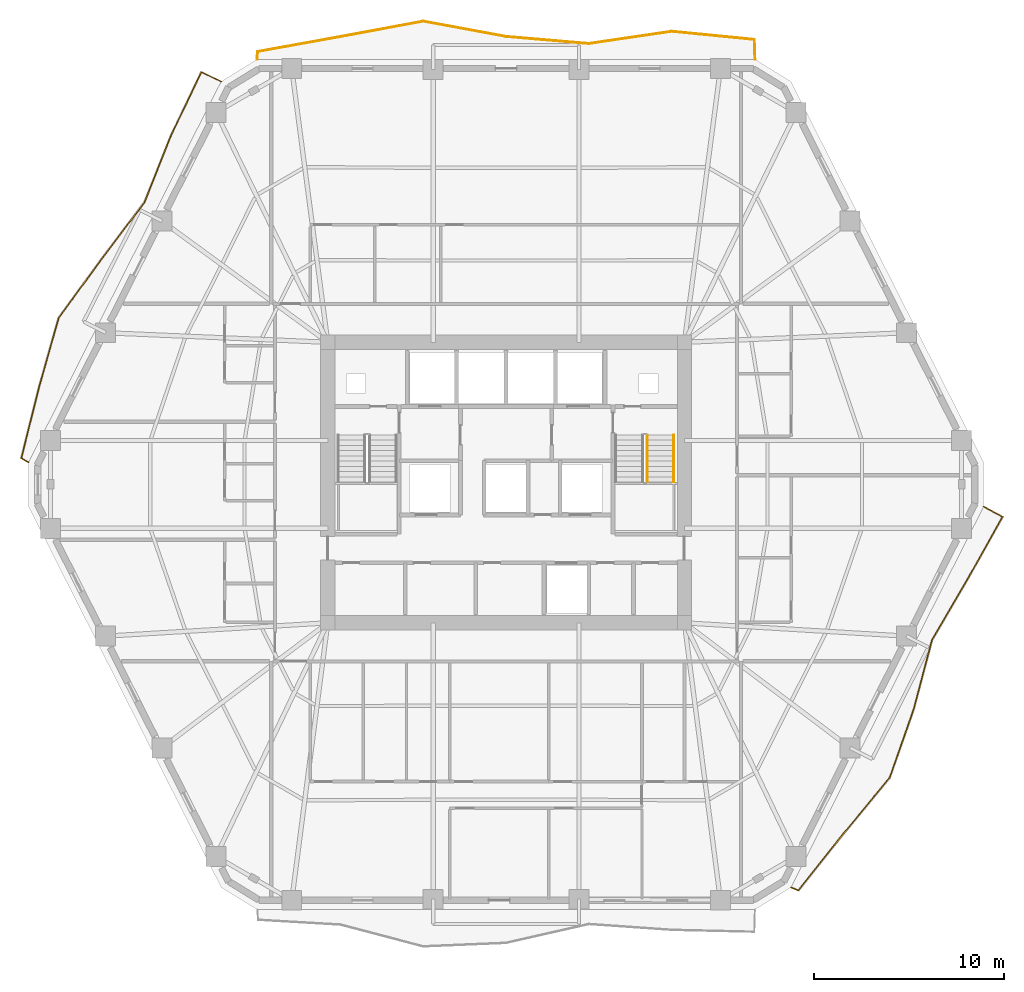
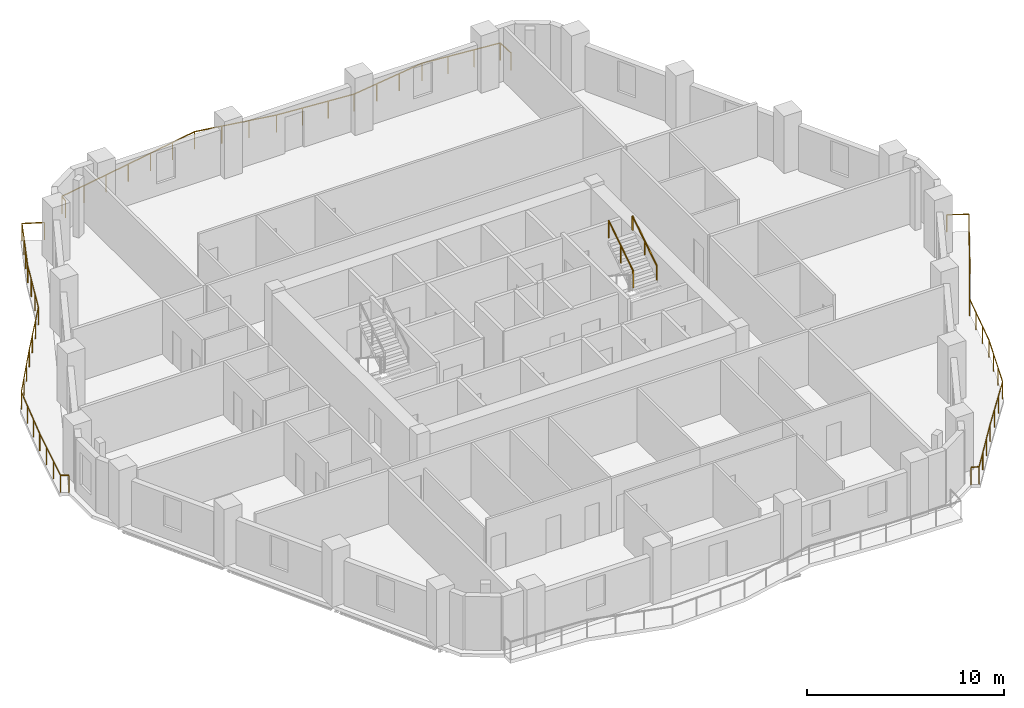
# One storey, part 10 of 10: 5 railings.
"""IFC4 building model written with IfcOpenShell, lengths in metres."""

from ifc_helpers import new_model, si_unit, direction, frame, origin, origin_2d, place, context, subcontext, project, spatial, rectangle, extrude, material, type_object, element, save


model = new_model("IFC4")

# Units and contexts
model_context = context("Model", 3, precision=1e-05, world=origin(), true_north=direction((0.0, 1.0)))
body_context = subcontext(model_context, "Body", "Model", "MODEL_VIEW")
ifc_project = project(units=[si_unit("LENGTHUNIT", "METRE"), si_unit("AREAUNIT", "SQUARE_METRE"), si_unit("VOLUMEUNIT", "CUBIC_METRE"), si_unit("PLANEANGLEUNIT", "RADIAN"), si_unit("MASSUNIT", "GRAM", prefix="KILO")], contexts=[model_context])

# Site, building, storey
site_placement = place(None, origin())
site = spatial("IfcSite", under=ifc_project, at=site_placement, CompositionType="ELEMENT")
building_placement = place(site_placement, origin())
building = spatial("IfcBuilding", under=site, at=building_placement, Name="Cinnabar Lancet Tower", CompositionType="ELEMENT")
storey_placement = place(building_placement, frame((0.0, 0.0, 119.699951171875)))
storey = spatial("IfcBuildingStorey", under=building, at=storey_placement, Name="L31", CompositionType="ELEMENT", Elevation=119.699951171875)

# Railings
ifc_material_1 = material(Name="Laminated safety glass and bronze stainless steel balustrade", Category="steel")
railing_type_1 = type_object("IfcRailingType", Name="ENV-RLG-BAL-1100", PredefinedType="BALUSTRADE", material=ifc_material_1)
railing_1_placement = place(storey_placement, frame((47.37890625, 4.610107421875, 0.0)))
element("IfcRailing", 1, at=railing_1_placement, inside=storey, type_object=railing_type_1, Name="L31 Face 2 Wave Balcony Balustrade", PredefinedType="BALUSTRADE", context=body_context, shape_type="SweptSolid", body=[
    extrude(rectangle(XDim=0.048095703125, YDim=0.048095703125, at=origin_2d()), frame((0.0, 0.0, 1.076171875), z_axis=(0.924617219281, -0.380897621166, 0.0), x_axis=(0.380897621166, 0.924617219281, 0.0)), (0.0, 0.0, 1.0), 0.415283203125),
    extrude(rectangle(XDim=0.048095703125, YDim=0.048095703125, at=origin_2d()), frame((0.384033203125, -0.158203125, 1.076171875), z_axis=(0.622347831052, 0.782740810987, 0.0), x_axis=(-0.782740810987, 0.622347831052, 0.0)), (0.0, 0.0, 1.0), 3.809814453125),
    extrude(rectangle(XDim=0.048095703125, YDim=0.048095703125, at=origin_2d()), frame((2.755126953125, 2.823974609375, 1.076171875), z_axis=(0.636467433335, 0.77130357597, 0.0), x_axis=(-0.77130357597, 0.636467433335, 0.0)), (0.0, 0.0, 1.0), 3.825927734375),
    extrude(rectangle(XDim=0.048095703125, YDim=0.048095703125, at=origin_2d()), frame((5.190185546875, 5.77490234375, 1.076171875), z_axis=(0.33160149405, 0.943419550965, 0.0), x_axis=(-0.943419550965, 0.33160149405, 0.0)), (0.0, 0.0, 1.0), 3.762939453125),
    extrude(rectangle(XDim=0.048095703125, YDim=0.048095703125, at=origin_2d()), frame((6.43798828125, 9.324951171875, 1.076171875), z_axis=(0.255980551299, 0.966681931845, 0.0), x_axis=(-0.966681931845, 0.255980551299, 0.0)), (0.0, 0.0, 1.0), 3.81298828125),
    extrude(rectangle(XDim=0.048095703125, YDim=0.048095703125, at=origin_2d()), frame((7.4140625, 13.010986328125, 1.076171875), z_axis=(0.504605959939, 0.863349769905, 0.0), x_axis=(-0.863349769905, 0.504605959939, 0.0)), (0.0, 0.0, 1.0), 3.737548828125),
    extrude(rectangle(XDim=0.048095703125, YDim=0.048095703125, at=origin_2d()), frame((9.300048828125, 16.23779296875, 1.076171875), z_axis=(0.489848542178, 0.871807550854, 0.0), x_axis=(-0.871807550854, 0.489848542178, 0.0)), (0.0, 0.0, 1.0), 3.736083984375),
    extrude(rectangle(XDim=0.048095703125, YDim=0.048095703125, at=origin_2d()), frame((11.130126953125, 19.494873046875, 1.076171875), z_axis=(-0.8810044297, 0.473108016047, 0.0), x_axis=(-0.473108016047, -0.8810044297, 0.0)), (0.0, 0.0, 1.0), 1.130615234375),
    extrude(rectangle(XDim=0.0419921875, YDim=0.0419921875, at=origin_2d()), origin(), (0.0, 0.0, 1.0), 1.052001953125),
    extrude(rectangle(XDim=0.0419921875, YDim=0.0419921875, at=origin_2d()), frame((0.384033203125, -0.158203125, 0.0)), (0.0, 0.0, 1.0), 1.052001953125),
    extrude(rectangle(XDim=0.0419921875, YDim=0.0419921875, at=origin_2d()), frame((1.17431640625, 0.8359375, 0.0)), (0.0, 0.0, 1.0), 1.052001953125),
    extrude(rectangle(XDim=0.0419921875, YDim=0.0419921875, at=origin_2d()), frame((1.96484375, 1.829833984375, 0.0)), (0.0, 0.0, 1.0), 1.052001953125),
    extrude(rectangle(XDim=0.0419921875, YDim=0.0419921875, at=origin_2d()), frame((2.755126953125, 2.823974609375, 0.0)), (0.0, 0.0, 1.0), 1.052001953125),
    extrude(rectangle(XDim=0.0419921875, YDim=0.0419921875, at=origin_2d()), frame((3.56689453125, 3.8076171875, 0.0)), (0.0, 0.0, 1.0), 1.052001953125),
    extrude(rectangle(XDim=0.0419921875, YDim=0.0419921875, at=origin_2d()), frame((4.37841796875, 4.791259765625, 0.0)), (0.0, 0.0, 1.0), 1.052001953125),
    extrude(rectangle(XDim=0.0419921875, YDim=0.0419921875, at=origin_2d()), frame((5.190185546875, 5.77490234375, 0.0)), (0.0, 0.0, 1.0), 1.052001953125),
    extrude(rectangle(XDim=0.0419921875, YDim=0.0419921875, at=origin_2d()), frame((5.606201171875, 6.958251953125, 0.0)), (0.0, 0.0, 1.0), 1.052001953125),
    extrude(rectangle(XDim=0.0419921875, YDim=0.0419921875, at=origin_2d()), frame((6.02197265625, 8.1416015625, 0.0)), (0.0, 0.0, 1.0), 1.052001953125),
    extrude(rectangle(XDim=0.0419921875, YDim=0.0419921875, at=origin_2d()), frame((6.43798828125, 9.324951171875, 0.0)), (0.0, 0.0, 1.0), 1.052001953125),
    extrude(rectangle(XDim=0.0419921875, YDim=0.0419921875, at=origin_2d()), frame((6.763427734375, 10.5537109375, 0.0)), (0.0, 0.0, 1.0), 1.052001953125),
    extrude(rectangle(XDim=0.0419921875, YDim=0.0419921875, at=origin_2d()), frame((7.088623046875, 11.7822265625, 0.0)), (0.0, 0.0, 1.0), 1.052001953125),
    extrude(rectangle(XDim=0.0419921875, YDim=0.0419921875, at=origin_2d()), frame((7.4140625, 13.010986328125, 0.0)), (0.0, 0.0, 1.0), 1.052001953125),
    extrude(rectangle(XDim=0.0419921875, YDim=0.0419921875, at=origin_2d()), frame((8.042724609375, 14.086669921875, 0.0)), (0.0, 0.0, 1.0), 1.052001953125),
    extrude(rectangle(XDim=0.0419921875, YDim=0.0419921875, at=origin_2d()), frame((8.67138671875, 15.162109375, 0.0)), (0.0, 0.0, 1.0), 1.052001953125),
    extrude(rectangle(XDim=0.0419921875, YDim=0.0419921875, at=origin_2d()), frame((9.300048828125, 16.23779296875, 0.0)), (0.0, 0.0, 1.0), 1.052001953125),
    extrude(rectangle(XDim=0.0419921875, YDim=0.0419921875, at=origin_2d()), frame((9.91015625, 17.323486328125, 0.0)), (0.0, 0.0, 1.0), 1.052001953125),
    extrude(rectangle(XDim=0.0419921875, YDim=0.0419921875, at=origin_2d()), frame((10.52001953125, 18.4091796875, 0.0)), (0.0, 0.0, 1.0), 1.052001953125),
    extrude(rectangle(XDim=0.0419921875, YDim=0.0419921875, at=origin_2d()), frame((11.130126953125, 19.494873046875, 0.0)), (0.0, 0.0, 1.0), 1.052001953125),
    extrude(rectangle(XDim=0.0419921875, YDim=0.0419921875, at=origin_2d()), frame((10.134033203125, 20.02978515625, 0.0)), (0.0, 0.0, 1.0), 1.052001953125),
])
railing_2_placement = place(storey_placement, frame((45.491943359375, 48.14990234375, 0.0)))
element("IfcRailing", 2, at=railing_2_placement, inside=storey, type_object=railing_type_1, Name="L31 Face 4 Wave Balcony Balustrade", PredefinedType="BALUSTRADE", context=body_context, shape_type="SweptSolid", body=[
    extrude(rectangle(XDim=0.048095703125, YDim=0.048095703125, at=origin_2d()), frame((0.0, 0.0, 1.076171875), z_axis=(-0.032642369907, 0.99946709585, 0.0), x_axis=(-0.99946709585, -0.032642369907, 0.0)), (0.0, 0.0, 1.0), 1.03955078125),
    extrude(rectangle(XDim=0.048095703125, YDim=0.048095703125, at=origin_2d()), frame((-0.033935546875, 1.0390625, 1.076171875), z_axis=(-0.995181981175, 0.098045011827, 0.0), x_axis=(-0.098045011827, -0.995181981175, 0.0)), (0.0, 0.0, 1.0), 4.375),
    extrude(rectangle(XDim=0.048095703125, YDim=0.048095703125, at=origin_2d()), frame((-4.387939453125, 1.468017578125, 1.076171875), z_axis=(-0.989303625184, -0.145870960775, 0.0), x_axis=(0.145870960775, -0.989303625184, 0.0)), (0.0, 0.0, 1.0), 4.400146484375),
    extrude(rectangle(XDim=0.048095703125, YDim=0.048095703125, at=origin_2d()), frame((-8.740966796875, 0.826171875, 1.076171875), z_axis=(-0.996425194575, 0.084479770452, 0.0), x_axis=(-0.084479770452, -0.996425194575, 0.0)), (0.0, 0.0, 1.0), 4.36669921875),
    extrude(rectangle(XDim=0.048095703125, YDim=0.048095703125, at=origin_2d()), frame((-13.092041015625, 1.195068359375, 1.076171875), z_axis=(-0.983281273371, 0.18209321085, 0.0), x_axis=(-0.18209321085, -0.983281273371, 0.0)), (0.0, 0.0, 1.0), 4.42578125),
    extrude(rectangle(XDim=0.048095703125, YDim=0.048095703125, at=origin_2d()), frame((-17.44384765625, 2.0009765625, 1.076171875), z_axis=(-0.98316439849, -0.182723193773, 0.0), x_axis=(0.182723193773, -0.98316439849, 0.0)), (0.0, 0.0, 1.0), 4.426513671875),
    extrude(rectangle(XDim=0.048095703125, YDim=0.048095703125, at=origin_2d()), frame((-21.7958984375, 1.192138671875, 1.076171875), z_axis=(-0.984119747367, -0.177505838897, 0.0), x_axis=(0.177505838897, -0.984119747367, 0.0)), (0.0, 0.0, 1.0), 4.42333984375),
    extrude(rectangle(XDim=0.048095703125, YDim=0.048095703125, at=origin_2d()), frame((-26.14892578125, 0.406982421875, 1.076171875), z_axis=(-0.085468949816, -0.996340834563, 0.0), x_axis=(0.996340834563, -0.085468949816, 0.0)), (0.0, 0.0, 1.0), 0.408447265625),
    extrude(rectangle(XDim=0.0419921875, YDim=0.0419921875, at=origin_2d()), origin(), (0.0, 0.0, 1.0), 1.052001953125),
    extrude(rectangle(XDim=0.0419921875, YDim=0.0419921875, at=origin_2d()), frame((-0.033935546875, 1.0390625, 0.0)), (0.0, 0.0, 1.0), 1.052001953125),
    extrude(rectangle(XDim=0.0419921875, YDim=0.0419921875, at=origin_2d()), frame((-1.4853515625, 1.18212890625, 0.0)), (0.0, 0.0, 1.0), 1.052001953125),
    extrude(rectangle(XDim=0.0419921875, YDim=0.0419921875, at=origin_2d()), frame((-2.9365234375, 1.324951171875, 0.0)), (0.0, 0.0, 1.0), 1.052001953125),
    extrude(rectangle(XDim=0.0419921875, YDim=0.0419921875, at=origin_2d()), frame((-4.387939453125, 1.468017578125, 0.0)), (0.0, 0.0, 1.0), 1.052001953125),
    extrude(rectangle(XDim=0.0419921875, YDim=0.0419921875, at=origin_2d()), frame((-5.8388671875, 1.254150390625, 0.0)), (0.0, 0.0, 1.0), 1.052001953125),
    extrude(rectangle(XDim=0.0419921875, YDim=0.0419921875, at=origin_2d()), frame((-7.2900390625, 1.0400390625, 0.0)), (0.0, 0.0, 1.0), 1.052001953125),
    extrude(rectangle(XDim=0.0419921875, YDim=0.0419921875, at=origin_2d()), frame((-8.740966796875, 0.826171875, 0.0)), (0.0, 0.0, 1.0), 1.052001953125),
    extrude(rectangle(XDim=0.0419921875, YDim=0.0419921875, at=origin_2d()), frame((-10.19140625, 0.94921875, 0.0)), (0.0, 0.0, 1.0), 1.052001953125),
    extrude(rectangle(XDim=0.0419921875, YDim=0.0419921875, at=origin_2d()), frame((-11.6416015625, 1.072021484375, 0.0)), (0.0, 0.0, 1.0), 1.052001953125),
    extrude(rectangle(XDim=0.0419921875, YDim=0.0419921875, at=origin_2d()), frame((-13.092041015625, 1.195068359375, 0.0)), (0.0, 0.0, 1.0), 1.052001953125),
    extrude(rectangle(XDim=0.0419921875, YDim=0.0419921875, at=origin_2d()), frame((-14.542724609375, 1.463623046875, 0.0)), (0.0, 0.0, 1.0), 1.052001953125),
    extrude(rectangle(XDim=0.0419921875, YDim=0.0419921875, at=origin_2d()), frame((-15.9931640625, 1.732421875, 0.0)), (0.0, 0.0, 1.0), 1.052001953125),
    extrude(rectangle(XDim=0.0419921875, YDim=0.0419921875, at=origin_2d()), frame((-17.44384765625, 2.0009765625, 0.0)), (0.0, 0.0, 1.0), 1.052001953125),
    extrude(rectangle(XDim=0.0419921875, YDim=0.0419921875, at=origin_2d()), frame((-18.89453125, 1.7314453125, 0.0)), (0.0, 0.0, 1.0), 1.052001953125),
    extrude(rectangle(XDim=0.0419921875, YDim=0.0419921875, at=origin_2d()), frame((-20.34521484375, 1.461669921875, 0.0)), (0.0, 0.0, 1.0), 1.052001953125),
    extrude(rectangle(XDim=0.0419921875, YDim=0.0419921875, at=origin_2d()), frame((-21.7958984375, 1.192138671875, 0.0)), (0.0, 0.0, 1.0), 1.052001953125),
    extrude(rectangle(XDim=0.0419921875, YDim=0.0419921875, at=origin_2d()), frame((-23.246826171875, 0.930419921875, 0.0)), (0.0, 0.0, 1.0), 1.052001953125),
    extrude(rectangle(XDim=0.0419921875, YDim=0.0419921875, at=origin_2d()), frame((-24.697998046875, 0.668701171875, 0.0)), (0.0, 0.0, 1.0), 1.052001953125),
    extrude(rectangle(XDim=0.0419921875, YDim=0.0419921875, at=origin_2d()), frame((-26.14892578125, 0.406982421875, 0.0)), (0.0, 0.0, 1.0), 1.052001953125),
    extrude(rectangle(XDim=0.0419921875, YDim=0.0419921875, at=origin_2d()), frame((-26.183837890625, 0.0, 0.0)), (0.0, 0.0, 1.0), 1.052001953125),
])
railing_3_placement = place(storey_placement, frame((17.4208984375, 46.989990234375, 0.0)))
element("IfcRailing", 3, at=railing_3_placement, inside=storey, type_object=railing_type_1, Name="L31 Face 5 Wave Balcony Balustrade", PredefinedType="BALUSTRADE", context=body_context, shape_type="SweptSolid", body=[
    extrude(rectangle(XDim=0.048095703125, YDim=0.048095703125, at=origin_2d()), frame((0.0, 0.0, 1.076171875), z_axis=(-0.904266791412, 0.426967879294, 0.0), x_axis=(-0.426967879294, -0.904266791412, 0.0)), (0.0, 0.0, 1.0), 1.154541015625),
    extrude(rectangle(XDim=0.048095703125, YDim=0.048095703125, at=origin_2d()), frame((-1.0439453125, 0.492919921875, 1.076171875), z_axis=(-0.430948673433, -0.902376440775, 0.0), x_axis=(0.902376440775, -0.430948673433, 0.0)), (0.0, 0.0, 1.0), 3.7333984375),
    extrude(rectangle(XDim=0.048095703125, YDim=0.048095703125, at=origin_2d()), frame((-2.65283203125, -2.8759765625, 1.076171875), z_axis=(-0.369064396025, -0.929403825894, 0.0), x_axis=(0.929403825894, -0.369064396025, 0.0)), (0.0, 0.0, 1.0), 3.74755859375),
    extrude(rectangle(XDim=0.048095703125, YDim=0.048095703125, at=origin_2d()), frame((-4.035888671875, -6.35888671875, 1.076171875), z_axis=(-0.602706450593, -0.797962990629, 0.0), x_axis=(0.797962990629, -0.602706450593, 0.0)), (0.0, 0.0, 1.0), 3.791015625),
    extrude(rectangle(XDim=0.048095703125, YDim=0.048095703125, at=origin_2d()), frame((-6.32080078125, -9.384033203125, 1.076171875), z_axis=(-0.589039467713, -0.808104266464, 0.0), x_axis=(0.808104266464, -0.589039467713, 0.0)), (0.0, 0.0, 1.0), 3.779052734375),
    extrude(rectangle(XDim=0.048095703125, YDim=0.048095703125, at=origin_2d()), frame((-8.546875, -12.43798828125, 1.076171875), z_axis=(-0.271759163976, -0.962365292805, 0.0), x_axis=(0.962365292805, -0.271759163976, 0.0)), (0.0, 0.0, 1.0), 3.801025390625),
    extrude(rectangle(XDim=0.048095703125, YDim=0.048095703125, at=origin_2d()), frame((-9.579833984375, -16.095947265625, 1.076171875), z_axis=(-0.242460578865, -0.970161258604, 0.0), x_axis=(0.970161258604, -0.242460578865, 0.0)), (0.0, 0.0, 1.0), 3.827392578125),
    extrude(rectangle(XDim=0.048095703125, YDim=0.048095703125, at=origin_2d()), frame((-10.5078125, -19.80908203125, 1.076171875), z_axis=(0.86099365164, -0.508615701523, 0.0), x_axis=(0.508615701523, 0.86099365164, 0.0)), (0.0, 0.0, 1.0), 0.434326171875),
    extrude(rectangle(XDim=0.0419921875, YDim=0.0419921875, at=origin_2d()), origin(), (0.0, 0.0, 1.0), 1.052001953125),
    extrude(rectangle(XDim=0.0419921875, YDim=0.0419921875, at=origin_2d()), frame((-1.0439453125, 0.492919921875, 0.0)), (0.0, 0.0, 1.0), 1.052001953125),
    extrude(rectangle(XDim=0.0419921875, YDim=0.0419921875, at=origin_2d()), frame((-1.580322265625, -0.630126953125, 0.0)), (0.0, 0.0, 1.0), 1.052001953125),
    extrude(rectangle(XDim=0.0419921875, YDim=0.0419921875, at=origin_2d()), frame((-2.116455078125, -1.7529296875, 0.0)), (0.0, 0.0, 1.0), 1.052001953125),
    extrude(rectangle(XDim=0.0419921875, YDim=0.0419921875, at=origin_2d()), frame((-2.65283203125, -2.8759765625, 0.0)), (0.0, 0.0, 1.0), 1.052001953125),
    extrude(rectangle(XDim=0.0419921875, YDim=0.0419921875, at=origin_2d()), frame((-3.11376953125, -4.036865234375, 0.0)), (0.0, 0.0, 1.0), 1.052001953125),
    extrude(rectangle(XDim=0.0419921875, YDim=0.0419921875, at=origin_2d()), frame((-3.574951171875, -5.197998046875, 0.0)), (0.0, 0.0, 1.0), 1.052001953125),
    extrude(rectangle(XDim=0.0419921875, YDim=0.0419921875, at=origin_2d()), frame((-4.035888671875, -6.35888671875, 0.0)), (0.0, 0.0, 1.0), 1.052001953125),
    extrude(rectangle(XDim=0.0419921875, YDim=0.0419921875, at=origin_2d()), frame((-4.797607421875, -7.3671875, 0.0)), (0.0, 0.0, 1.0), 1.052001953125),
    extrude(rectangle(XDim=0.0419921875, YDim=0.0419921875, at=origin_2d()), frame((-5.55908203125, -8.375732421875, 0.0)), (0.0, 0.0, 1.0), 1.052001953125),
    extrude(rectangle(XDim=0.0419921875, YDim=0.0419921875, at=origin_2d()), frame((-6.32080078125, -9.384033203125, 0.0)), (0.0, 0.0, 1.0), 1.052001953125),
    extrude(rectangle(XDim=0.0419921875, YDim=0.0419921875, at=origin_2d()), frame((-7.062744140625, -10.402099609375, 0.0)), (0.0, 0.0, 1.0), 1.052001953125),
    extrude(rectangle(XDim=0.0419921875, YDim=0.0419921875, at=origin_2d()), frame((-7.804931640625, -11.419921875, 0.0)), (0.0, 0.0, 1.0), 1.052001953125),
    extrude(rectangle(XDim=0.0419921875, YDim=0.0419921875, at=origin_2d()), frame((-8.546875, -12.43798828125, 0.0)), (0.0, 0.0, 1.0), 1.052001953125),
    extrude(rectangle(XDim=0.0419921875, YDim=0.0419921875, at=origin_2d()), frame((-8.89111328125, -13.6572265625, 0.0)), (0.0, 0.0, 1.0), 1.052001953125),
    extrude(rectangle(XDim=0.0419921875, YDim=0.0419921875, at=origin_2d()), frame((-9.235595703125, -14.876708984375, 0.0)), (0.0, 0.0, 1.0), 1.052001953125),
    extrude(rectangle(XDim=0.0419921875, YDim=0.0419921875, at=origin_2d()), frame((-9.579833984375, -16.095947265625, 0.0)), (0.0, 0.0, 1.0), 1.052001953125),
    extrude(rectangle(XDim=0.0419921875, YDim=0.0419921875, at=origin_2d()), frame((-9.88916015625, -17.333740234375, 0.0)), (0.0, 0.0, 1.0), 1.052001953125),
    extrude(rectangle(XDim=0.0419921875, YDim=0.0419921875, at=origin_2d()), frame((-10.198486328125, -18.5712890625, 0.0)), (0.0, 0.0, 1.0), 1.052001953125),
    extrude(rectangle(XDim=0.0419921875, YDim=0.0419921875, at=origin_2d()), frame((-10.5078125, -19.80908203125, 0.0)), (0.0, 0.0, 1.0), 1.052001953125),
    extrude(rectangle(XDim=0.0419921875, YDim=0.0419921875, at=origin_2d()), frame((-10.1337890625, -20.030029296875, 0.0)), (0.0, 0.0, 1.0), 1.052001953125),
])
ifc_material_2 = material(Name="Painted galvanized steel balustrade", Category="steel")
railing_type_2 = type_object("IfcRailingType", Name="GUARD-STAIR", PredefinedType="GUARDRAIL", material=ifc_material_2)
railing_4_placement = place(storey_placement, frame((39.824951171875, 25.925048828125, 1.95263671875)))
element("IfcRailing", 4, at=railing_4_placement, inside=storey, type_object=railing_type_2, Name="L31 ST-2 stair guard 3", PredefinedType="GUARDRAIL", context=body_context, shape_type="SweptSolid", body=[
    extrude(rectangle(XDim=0.048095703125, YDim=0.048095703125, at=origin_2d()), frame((0.0, 0.0, 1.076171875), z_axis=(0.0, 0.840183358697, 0.542302428327), x_axis=(-1.0, 0.0, 0.0)), (0.0, 0.0, 1.0), 2.945556640625),
    extrude(rectangle(XDim=0.0419921875, YDim=0.0419921875, at=origin_2d()), origin(), (0.0, 0.0, 1.0), 1.052001953125),
    extrude(rectangle(XDim=0.0419921875, YDim=0.0419921875, at=origin_2d()), frame((0.0, 1.2373046875, 0.798828125)), (0.0, 0.0, 1.0), 1.052001953125),
    extrude(rectangle(XDim=0.0419921875, YDim=0.0419921875, at=origin_2d()), frame((0.0, 2.474853515625, 1.597412109375)), (0.0, 0.0, 1.0), 1.052001953125),
])
ifc_material_3 = material(Name="Brushed stainless steel handrail", Category="steel")
railing_type_3 = type_object("IfcRailingType", Name="HANDRAIL-STAIR", PredefinedType="HANDRAIL", material=ifc_material_3)
railing_5_placement = place(storey_placement, frame((41.22509765625, 25.925048828125, 1.95263671875)))
element("IfcRailing", 5, at=railing_5_placement, inside=storey, type_object=railing_type_3, Name="L31 ST-2 stair handrail 2", PredefinedType="HANDRAIL", context=body_context, shape_type="SweptSolid", body=[
    extrude(rectangle(XDim=0.048095703125, YDim=0.048095703125, at=origin_2d()), frame((0.0, 0.0, 0.8759765625), z_axis=(0.0, 0.840183358697, 0.542302428327), x_axis=(-1.0, 0.0, 0.0)), (0.0, 0.0, 1.0), 2.945556640625),
    extrude(rectangle(XDim=0.0419921875, YDim=0.0419921875, at=origin_2d()), origin(), (0.0, 0.0, 1.0), 0.851806640625),
    extrude(rectangle(XDim=0.0419921875, YDim=0.0419921875, at=origin_2d()), frame((0.0, 1.2373046875, 0.798828125)), (0.0, 0.0, 1.0), 0.851806640625),
    extrude(rectangle(XDim=0.0419921875, YDim=0.0419921875, at=origin_2d()), frame((0.0, 2.474853515625, 1.597412109375)), (0.0, 0.0, 1.0), 0.851806640625),
])

save(model, "model.ifc")
